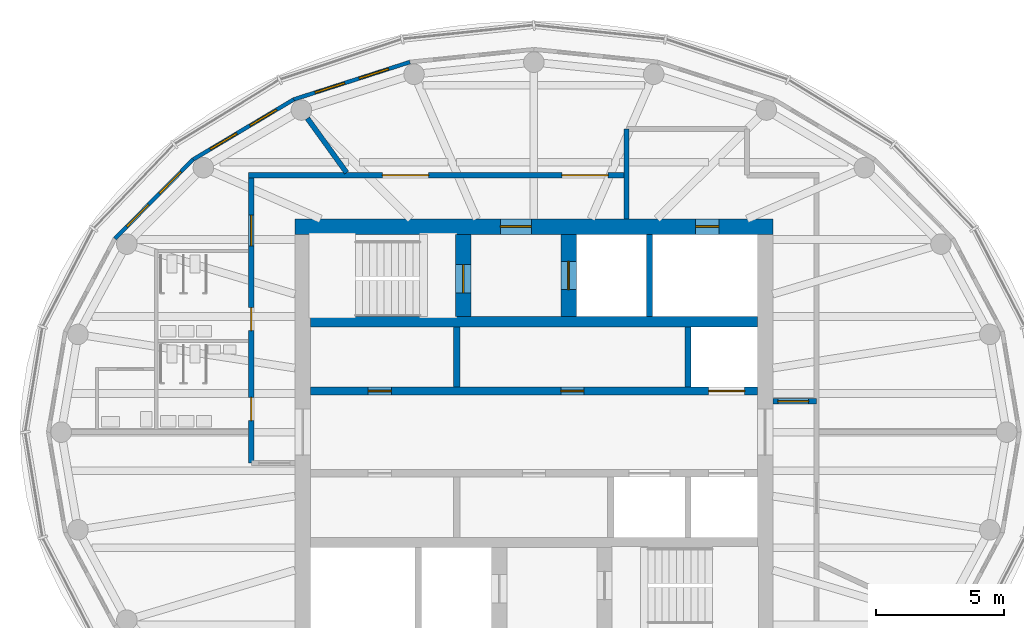
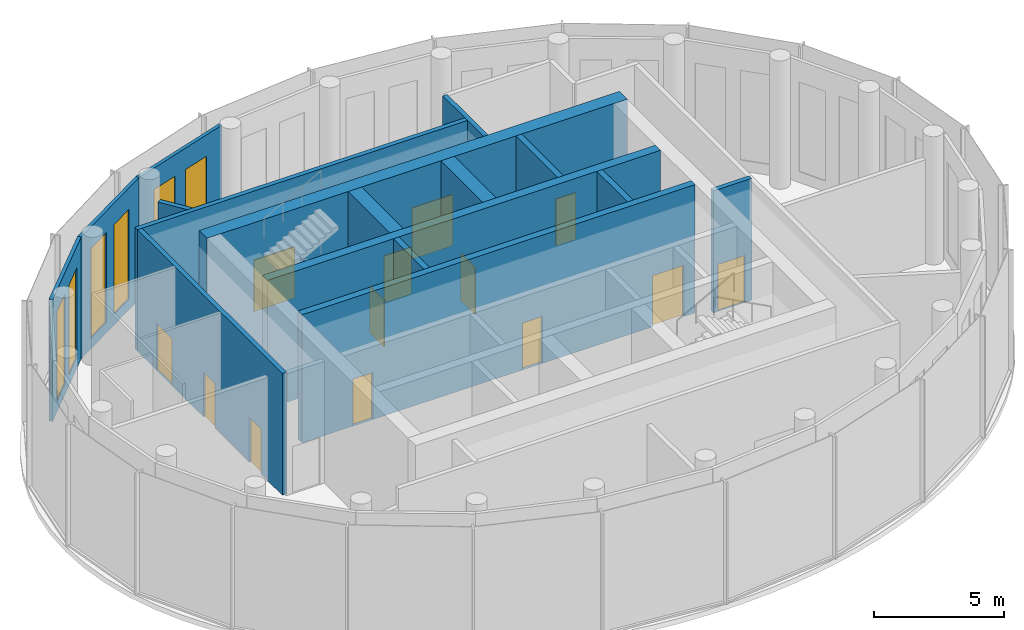
# One storey, part 6 of 11: 16 walls, 13 doors, 6 windows, 19 openings.
"""IFC4 building model written with IfcOpenShell, lengths in metres."""

import ifcopenshell
import ifcopenshell.guid

model = None  # the IFC model being written
_history = None  # IfcOwnerHistory: only IFC2X3 demands one
_inside = {}  # id of a spatial element -> (the spatial element, [elements in it])
_under = {}  # id of a project, library or spatial element -> (it, [spatial elements below it])
_declared = {}  # id of a project -> (the project, [libraries it declares])
_typed = {}  # id of a type object -> (the type object, [elements of that type])
_made_of = {}  # id of a material, layer set ... -> (it, [elements and type objects made of it])


def new_model(schema):
    """Start an empty IFC model of exactly this schema.

    Asked for "IFC4X3", IfcOpenShell would pick the latest addendum, in which some entities
    have other attributes; the version numbers below select the first issue.
    IFC2X3 requires an IfcOwnerHistory on every rooted entity: one is made here for all.
    """
    global model, _history
    if schema == "IFC4X3":
        model = ifcopenshell.file(schema_version=(4, 3, 0, 0))
    else:
        model = ifcopenshell.file(schema=schema)
    _inside.clear()
    _under.clear()
    _declared.clear()
    _typed.clear()
    _made_of.clear()
    _history = None
    if model.schema == "IFC2X3":
        org = make("IfcOrganization", Name="unknown")
        user = make(
            "IfcPersonAndOrganization",
            ThePerson=make("IfcPerson", FamilyName="unknown"),
            TheOrganization=org,
        )
        app = make(
            "IfcApplication",
            ApplicationDeveloper=org,
            Version="unknown",
            ApplicationFullName="unknown",
            ApplicationIdentifier="unknown",
        )
        _history = make(
            "IfcOwnerHistory",
            OwningUser=user,
            OwningApplication=app,
            ChangeAction="ADDED",
            CreationDate=0,
        )
    return model


def make(cls, **values):
    """One entity of the class cls with the attributes given. An attribute that is None is left unset."""
    return model.create_entity(
        cls, **{name: value for name, value in values.items() if value is not None}
    )


def rooted(cls, **values):
    """An entity with a GlobalId (a new one), such as an element, a storey or a relation."""
    return make(cls, GlobalId=ifcopenshell.guid.new(), OwnerHistory=_history, **values)


def si_unit(unit_type, name, prefix=None):
    """IfcSIUnit, for example si_unit("LENGTHUNIT", "METRE", prefix="MILLI")."""
    return make("IfcSIUnit", UnitType=unit_type, Prefix=prefix, Name=name)


def assignment(units):
    """IfcUnitAssignment: the units of a project."""
    return None if units is None else make("IfcUnitAssignment", Units=units)


def point(xyz):
    """IfcCartesianPoint."""
    return None if xyz is None else make("IfcCartesianPoint", Coordinates=xyz)


def direction(xyz):
    """IfcDirection."""
    return None if xyz is None else make("IfcDirection", DirectionRatios=xyz)


def frame(location, z_axis=None, x_axis=None):
    """IfcAxis2Placement3D, a coordinate frame: its origin and axes. An axis left out is left unset."""
    return make(
        "IfcAxis2Placement3D",
        Location=point(location),
        Axis=direction(z_axis),
        RefDirection=direction(x_axis),
    )


def frame_2d(location, x_axis=None):
    """IfcAxis2Placement2D, a coordinate frame in the plane: its origin and x axis."""
    return make(
        "IfcAxis2Placement2D", Location=point(location), RefDirection=direction(x_axis)
    )


def origin():
    """The frame at (0, 0, 0) with its axes left unset."""
    return frame((0.0, 0.0, 0.0))


def place(relative_to, where):
    """IfcLocalPlacement: puts the frame where relative to a parent placement (None: the world)."""
    return make(
        "IfcLocalPlacement", PlacementRelTo=relative_to, RelativePlacement=where
    )


def context(
    kind, dimensions, precision=None, world=None, true_north=None, identifier=None
):
    """IfcGeometricRepresentationContext, for example the 3D "Model" context."""
    return make(
        "IfcGeometricRepresentationContext",
        ContextIdentifier=identifier,
        ContextType=kind,
        CoordinateSpaceDimension=dimensions,
        Precision=precision,
        WorldCoordinateSystem=world,
        TrueNorth=true_north,
    )


def subcontext(parent, identifier, kind, view, scale=None):
    """IfcGeometricRepresentationSubContext, for example "Body" below "Model"."""
    return make(
        "IfcGeometricRepresentationSubContext",
        ContextIdentifier=identifier,
        ContextType=kind,
        ParentContext=parent,
        TargetScale=scale,
        TargetView=view,
    )


def project(units=None, contexts=None):
    """IfcProject with its units and contexts."""
    return rooted(
        "IfcProject",
        Name="project",
        RepresentationContexts=contexts,
        UnitsInContext=assignment(units),
    )


def spatial(cls, under=None, at=None, **own):
    """A site, building, storey or space (cls), placed at a placement, below another one or the project."""
    s = rooted(cls, ObjectPlacement=at, **own)
    if under is not None:
        _under.setdefault(under.id(), (under, []))[1].append(s)
    return s


def profile(cls, at=None, kind="AREA", **sizes):
    """A parametric profile (cls). Its sizes go by their IFC names, for example OverallWidth=200.0."""
    return make(cls, ProfileType=kind, Position=at, **sizes)


def rectangle(**sizes):
    """IfcRectangleProfileDef."""
    return profile("IfcRectangleProfileDef", **sizes)


def extrude(swept, where, along, depth):
    """IfcExtrudedAreaSolid: the profile swept, set in the frame where, extruded along a direction by depth."""
    return make(
        "IfcExtrudedAreaSolid",
        SweptArea=swept,
        Position=where,
        ExtrudedDirection=direction(along),
        Depth=depth,
    )


def shape(context_of_items, identifier, shape_type, items):
    """IfcShapeRepresentation: the items that make up one representation, for example the "Body"."""
    return make(
        "IfcShapeRepresentation",
        ContextOfItems=context_of_items,
        RepresentationIdentifier=identifier,
        RepresentationType=shape_type,
        Items=items,
    )


def material(Name=None, Category=None):
    """IfcMaterial."""
    return make("IfcMaterial", Name=Name, Category=Category)


def layer(
    of_material, thickness, ventilated=None, Name=None, Category=None, Priority=None
):
    """IfcMaterialLayer: one layer of a wall or slab, of a material (None: an air gap)."""
    return make(
        "IfcMaterialLayer",
        Material=of_material,
        LayerThickness=thickness,
        IsVentilated=ventilated,
        Name=Name,
        Category=Category,
        Priority=Priority,
    )


def layer_set(layers, Name=None):
    """IfcMaterialLayerSet."""
    return make("IfcMaterialLayerSet", MaterialLayers=layers, LayerSetName=Name)


def made_of(thing, what):
    """Note that an element or type object is made of a material, layer set ...; save() writes the relation."""
    if what is not None:
        _made_of.setdefault(what.id(), (what, []))[1].append(thing)
    return thing


def type_object(cls, material=None, **own):
    """A type object (cls), such as IfcWallType, which elements share."""
    return made_of(rooted(cls, **own), material)


def element(
    cls,
    number,
    at=None,
    inside=None,
    cuts=None,
    type_object=None,
    material=None,
    context=None,
    identifier="Body",
    shape_type=None,
    held_by="IfcProductDefinitionShape",
    body=None,
    shapes=None,
    **own,
):
    """One element of the class cls, such as IfcWall. Its Tag is "e" and its number.

    at: its placement. inside: the storey or other place that contains it. cuts: it is an
    opening in that element (IfcRelVoidsElement). A single representation is given by context,
    identifier, shape_type and body (its items); several are given by shapes. held_by: the class
    of the entity that holds the representations. save() writes the other relations.
    """
    e = rooted(cls, Tag="e%d" % number, ObjectPlacement=at, **own)
    if body is not None:
        shapes = [shape(context, identifier, shape_type, body)]
    if shapes is not None:
        e.Representation = make(held_by, Representations=shapes)
    if inside is not None:
        _inside.setdefault(inside.id(), (inside, []))[1].append(e)
    if cuts is not None:
        rooted(
            "IfcRelVoidsElement", RelatingBuildingElement=cuts, RelatedOpeningElement=e
        )
    if type_object is not None:
        _typed.setdefault(type_object.id(), (type_object, []))[1].append(e)
    return made_of(e, material)


def fill(opening, filler):
    """IfcRelFillsElement: the door or window that sits in an opening."""
    return rooted(
        "IfcRelFillsElement",
        RelatingOpeningElement=opening,
        RelatedBuildingElement=filler,
    )


def aggregate(whole, parts):
    """IfcRelAggregates: a whole, such as a stair, and the parts it consists of."""
    return rooted("IfcRelAggregates", RelatingObject=whole, RelatedObjects=parts)


def save(model, path):
    """Write the relations noted so far, then the file.

    IfcRelAggregates (storeys below a building ...), IfcRelContainedInSpatialStructure (elements
    in a storey), IfcRelDefinesByType, IfcRelAssociatesMaterial and IfcRelDeclares: one each for
    every whole, place, type object, material and project.
    """
    for whole, parts in _under.values():
        aggregate(whole, parts)
    for where, things in _inside.values():
        rooted(
            "IfcRelContainedInSpatialStructure",
            RelatedElements=things,
            RelatingStructure=where,
        )
    for kind, things in _typed.values():
        rooted("IfcRelDefinesByType", RelatedObjects=things, RelatingType=kind)
    for what, things in _made_of.values():
        rooted("IfcRelAssociatesMaterial", RelatedObjects=things, RelatingMaterial=what)
    for by, libraries in _declared.values():
        rooted("IfcRelDeclares", RelatingContext=by, RelatedDefinitions=libraries)
    model.write(path)


model = new_model("IFC4")

# Units and contexts
model_context = context("Model", 3, precision=1e-05, world=origin(), true_north=direction((0.0, 1.0)))
body_context = subcontext(model_context, "Body", "Model", "MODEL_VIEW")
ifc_project = project(units=[si_unit("LENGTHUNIT", "METRE"), si_unit("AREAUNIT", "SQUARE_METRE"), si_unit("VOLUMEUNIT", "CUBIC_METRE"), si_unit("PLANEANGLEUNIT", "RADIAN"), si_unit("MASSUNIT", "GRAM", prefix="KILO")], contexts=[model_context])

# Site, building, storey
site_placement = place(None, origin())
site = spatial("IfcSite", under=ifc_project, at=site_placement, CompositionType="ELEMENT")
building_placement = place(site_placement, origin())
building = spatial("IfcBuilding", under=site, at=building_placement, Name="Hankou Lantern Tower", CompositionType="ELEMENT")
storey_placement = place(building_placement, frame((0.0, 0.0, 242.699951171875)))
storey = spatial("IfcBuildingStorey", under=building, at=storey_placement, Name="L65", CompositionType="ELEMENT", Elevation=242.699951171875)

# Wall, openings, doors
ifc_material_1 = material(Name="Concrete C60", Category="concrete")
ifc_layer_1 = layer(ifc_material_1, 0.60009765625)
ifc_layer_set_1 = layer_set([ifc_layer_1], Name="Concrete C60")
wall_type_1 = type_object("IfcWallType", Name="CW3 CORE WALL 600", PredefinedType="SHEAR", material=ifc_layer_set_1)
wall_1_placement = place(storey_placement, frame((-9.300048828125, 8.0, 0.0), z_axis=(0.0, 0.0, 1.0), x_axis=(1.0, 0.0, 0.0)))
wall_1 = element("IfcWall", 1, at=wall_1_placement, inside=storey, type_object=wall_type_1, Name="Core wall north L65", PredefinedType="SHEAR", context=body_context, shape_type="SweptSolid", body=[
    extrude(rectangle(XDim=18.60009765625, YDim=0.60009765625, at=frame_2d((9.300048828125, 0.0))), origin(), (0.0, 0.0, 1.0), 6.0),
])
opening_1_placement = place(wall_1_placement, frame((8.0, 0.0, 0.0)))
opening_1 = element("IfcOpeningElement", 2, at=opening_1_placement, cuts=wall_1, Name="Opening D5", PredefinedType="OPENING", context=body_context, shape_type="SweptSolid", body=[
    extrude(rectangle(XDim=1.199951171875, YDim=2.199951171875, at=frame_2d((0.60009765625, 1.10009765625))), frame((0.0, 0.31005859375, 0.0), z_axis=(0.0, -1.0, 0.0), x_axis=(1.0, 0.0, 0.0)), (0.0, 0.0, 1.0), 0.6201171875),
])
opening_2_placement = place(wall_1_placement, frame((15.60009765625, 0.0, 0.0)))
opening_2 = element("IfcOpeningElement", 3, at=opening_2_placement, cuts=wall_1, Name="Opening D7", PredefinedType="OPENING", context=body_context, shape_type="SweptSolid", body=[
    extrude(rectangle(XDim=0.89990234375, YDim=2.199951171875, at=frame_2d((0.449951171875, 1.10009765625))), frame((0.0, 0.31005859375, 0.0), z_axis=(0.0, -1.0, 0.0), x_axis=(1.0, 0.0, 0.0)), (0.0, 0.0, 1.0), 0.6201171875),
])
ifc_material_2 = material(Name="Steel door leaf", Category="steel")
door_type_1 = type_object("IfcDoorType", Name="D5 STAIR LOBBY DOOR 1200X2200", OperationType="SINGLE_SWING_LEFT", PredefinedType="DOOR", material=ifc_material_2)
door_1_placement = place(opening_1_placement, origin())
door_1 = element("IfcDoor", 4, at=door_1_placement, inside=storey, type_object=door_type_1, Name="Stair A lobby door", OperationType="SINGLE_SWING_RIGHT", OverallHeight=2.199951171875, OverallWidth=1.199951171875, PredefinedType="DOOR", context=body_context, shape_type="SweptSolid", body=[
    extrude(rectangle(XDim=1.199951171875, YDim=2.199951171875, at=frame_2d((0.60009765625, 1.10009765625))), frame((0.0, 0.02490234375, 0.0), z_axis=(0.0, -1.0, 0.0), x_axis=(1.0, 0.0, 0.0)), (0.0, 0.0, 1.0), 0.050048828125),
])
fill(opening_1, door_1)
ifc_material_3 = material(Name="Steel door leaf", Category="steel")
door_type_2 = type_object("IfcDoorType", Name="D7 RISER DOOR 900X2200", OperationType="SINGLE_SWING_LEFT", PredefinedType="DOOR", material=ifc_material_3)
door_2_placement = place(opening_2_placement, origin())
door_2 = element("IfcDoor", 5, at=door_2_placement, inside=storey, type_object=door_type_2, Name="Riser N1 door", OperationType="SINGLE_SWING_LEFT", OverallHeight=2.199951171875, OverallWidth=0.89990234375, PredefinedType="DOOR", context=body_context, shape_type="SweptSolid", body=[
    extrude(rectangle(XDim=0.89990234375, YDim=2.199951171875, at=frame_2d((0.449951171875, 1.10009765625))), frame((0.0, 0.02490234375, 0.0), z_axis=(0.0, -1.0, 0.0), x_axis=(1.0, 0.0, 0.0)), (0.0, 0.0, 1.0), 0.050048828125),
])
fill(opening_2, door_2)

# Wall
ifc_material_4 = material(Name="Concrete C60", Category="concrete")
ifc_layer_2 = layer(ifc_material_4, 0.39990234375)
ifc_layer_set_2 = layer_set([ifc_layer_2], Name="Concrete C60")
wall_type_2 = type_object("IfcWallType", Name="CW4 CORE CROSS WALL 400", PredefinedType="SHEAR", material=ifc_layer_set_2)
wall_2_placement = place(storey_placement, frame((-8.699951171875, 4.300048828125, 0.0), z_axis=(0.0, 0.0, 1.0), x_axis=(1.0, 0.0, 0.0)))
element("IfcWall", 6, at=wall_2_placement, inside=storey, type_object=wall_type_2, Name="Core band wall north L65", PredefinedType="SHEAR", context=body_context, shape_type="SweptSolid", body=[
    extrude(rectangle(XDim=17.39990234375, YDim=0.39990234375, at=frame_2d((8.699951171875, 0.0))), origin(), (0.0, 0.0, 1.0), 6.0),
])

# Wall, openings, doors
ifc_material_5 = material(Name="Concrete C60", Category="concrete")
ifc_layer_3 = layer(ifc_material_5, 0.300048828125)
ifc_layer_set_3 = layer_set([ifc_layer_3], Name="Concrete C60")
wall_type_3 = type_object("IfcWallType", Name="CW5 LIFT LOBBY WALL 300", PredefinedType="SHEAR", material=ifc_layer_set_3)
wall_3_placement = place(storey_placement, frame((-8.699951171875, 1.60009765625, 0.0), z_axis=(0.0, 0.0, 1.0), x_axis=(1.0, 0.0, 0.0)))
wall_3 = element("IfcWall", 7, at=wall_3_placement, inside=storey, type_object=wall_type_3, Name="Lift lobby wall north L65", PredefinedType="SHEAR", context=body_context, shape_type="SweptSolid", body=[
    extrude(rectangle(XDim=17.39990234375, YDim=0.300048828125, at=frame_2d((8.699951171875, 0.0))), origin(), (0.0, 0.0, 1.0), 6.0),
])
opening_3_placement = place(wall_3_placement, frame((15.5, 0.0, 0.0)))
opening_3 = element("IfcOpeningElement", 8, at=opening_3_placement, cuts=wall_3, Name="Opening LD3", PredefinedType="OPENING", context=body_context, shape_type="SweptSolid", body=[
    extrude(rectangle(XDim=1.39990234375, YDim=2.39990234375, at=frame_2d((0.699951171875, 1.199951171875))), frame((0.0, 0.159912109375, 0.0), z_axis=(0.0, -1.0, 0.0), x_axis=(1.0, 0.0, 0.0)), (0.0, 0.0, 1.0), 0.320068359375),
])
opening_4_placement = place(wall_3_placement, frame((2.25, 0.0, 0.0)))
opening_4 = element("IfcOpeningElement", 9, at=opening_4_placement, cuts=wall_3, Name="Opening D30", PredefinedType="OPENING", context=body_context, shape_type="SweptSolid", body=[
    extrude(rectangle(XDim=0.89990234375, YDim=2.199951171875, at=frame_2d((0.449951171875, 1.10009765625))), frame((0.0, 0.159912109375, 0.0), z_axis=(0.0, -1.0, 0.0), x_axis=(1.0, 0.0, 0.0)), (0.0, 0.0, 1.0), 0.320068359375),
])
opening_5_placement = place(wall_3_placement, frame((9.75, 0.0, 0.0)))
opening_5 = element("IfcOpeningElement", 10, at=opening_5_placement, cuts=wall_3, Name="Opening D30", PredefinedType="OPENING", context=body_context, shape_type="SweptSolid", body=[
    extrude(rectangle(XDim=0.89990234375, YDim=2.199951171875, at=frame_2d((0.449951171875, 1.10009765625))), frame((0.0, 0.159912109375, 0.0), z_axis=(0.0, -1.0, 0.0), x_axis=(1.0, 0.0, 0.0)), (0.0, 0.0, 1.0), 0.320068359375),
])
ifc_material_6 = material(Name="Steel door leaf", Category="steel")
door_type_3 = type_object("IfcDoorType", Name="D30 CORE ROOM DOOR 900X2200", OperationType="SINGLE_SWING_LEFT", PredefinedType="DOOR", material=ifc_material_6)
door_3_placement = place(opening_4_placement, origin())
door_3 = element("IfcDoor", 11, at=door_3_placement, inside=storey, type_object=door_type_3, Name="First aid store door", OperationType="SINGLE_SWING_LEFT", OverallHeight=2.199951171875, OverallWidth=0.89990234375, PredefinedType="DOOR", context=body_context, shape_type="SweptSolid", body=[
    extrude(rectangle(XDim=0.89990234375, YDim=2.199951171875, at=frame_2d((0.449951171875, 1.10009765625))), frame((0.0, 0.02490234375, 0.0), z_axis=(0.0, -1.0, 0.0), x_axis=(1.0, 0.0, 0.0)), (0.0, 0.0, 1.0), 0.050048828125),
])
fill(opening_4, door_3)
door_4_placement = place(opening_5_placement, origin())
door_4 = element("IfcDoor", 12, at=door_4_placement, inside=storey, type_object=door_type_3, Name="Exhibition store door", OperationType="SINGLE_SWING_RIGHT", OverallHeight=2.199951171875, OverallWidth=0.89990234375, PredefinedType="DOOR", context=body_context, shape_type="SweptSolid", body=[
    extrude(rectangle(XDim=0.89990234375, YDim=2.199951171875, at=frame_2d((0.449951171875, 1.10009765625))), frame((0.0, 0.02490234375, 0.0), z_axis=(0.0, -1.0, 0.0), x_axis=(1.0, 0.0, 0.0)), (0.0, 0.0, 1.0), 0.050048828125),
])
fill(opening_5, door_4)
ifc_material_7 = material(Name="Steel door leaf", Category="steel")
door_type_4 = type_object("IfcDoorType", Name="LD3 OBSERVATION LIFT LANDING DOOR 1400X2400", OperationType="DOUBLE_DOOR_SLIDING", PredefinedType="DOOR", material=ifc_material_7)
door_5_placement = place(opening_3_placement, origin())
door_5 = element("IfcDoor", 13, at=door_5_placement, inside=storey, type_object=door_type_4, Name="Lift OB1 landing door", OperationType="DOUBLE_DOOR_SLIDING", OverallHeight=2.39990234375, OverallWidth=1.39990234375, PredefinedType="DOOR", context=body_context, shape_type="SweptSolid", body=[
    extrude(rectangle(XDim=1.39990234375, YDim=2.39990234375, at=frame_2d((0.699951171875, 1.199951171875))), frame((0.0, 0.02490234375, 0.0), z_axis=(0.0, -1.0, 0.0), x_axis=(1.0, 0.0, 0.0)), (0.0, 0.0, 1.0), 0.050048828125),
])
fill(opening_3, door_5)

# Wall, opening, door
ifc_material_8 = material(Name="Concrete C60", Category="concrete")
ifc_layer_4 = layer(ifc_material_8, 0.60009765625)
ifc_layer_set_4 = layer_set([ifc_layer_4], Name="Concrete C60")
wall_type_4 = type_object("IfcWallType", Name="CW6 STAIR AND SHAFT WALL 600", PredefinedType="SHEAR", material=ifc_layer_set_4)
wall_4_placement = place(storey_placement, frame((-2.75, 4.5, 0.0), z_axis=(0.0, 0.0, 1.0), x_axis=(0.0, 1.0, 0.0)))
wall_4 = element("IfcWall", 14, at=wall_4_placement, inside=storey, type_object=wall_type_4, Name="Stair wall L65", PredefinedType="SHEAR", context=body_context, shape_type="SweptSolid", body=[
    extrude(rectangle(XDim=3.199951171875, YDim=0.60009765625, at=frame_2d((1.60009765625, 0.0))), origin(), (0.0, 0.0, 1.0), 6.0),
])
opening_6_placement = place(wall_4_placement, frame((0.925048828125, 0.0, 0.0)))
opening_6 = element("IfcOpeningElement", 15, at=opening_6_placement, cuts=wall_4, Name="Opening D4", PredefinedType="OPENING", context=body_context, shape_type="SweptSolid", body=[
    extrude(rectangle(XDim=1.10009765625, YDim=2.199951171875, at=frame_2d((0.550048828125, 1.10009765625))), frame((0.0, 0.31005859375, 0.0), z_axis=(0.0, -1.0, 0.0), x_axis=(1.0, 0.0, 0.0)), (0.0, 0.0, 1.0), 0.6201171875),
])
ifc_material_9 = material(Name="Steel door leaf", Category="steel")
door_type_5 = type_object("IfcDoorType", Name="D4 STAIR DOOR 1100X2200", OperationType="SINGLE_SWING_LEFT", PredefinedType="DOOR", material=ifc_material_9)
door_6_placement = place(opening_6_placement, origin())
door_6 = element("IfcDoor", 16, at=door_6_placement, inside=storey, type_object=door_type_5, Name="Stair A door", OperationType="SINGLE_SWING_LEFT", OverallHeight=2.199951171875, OverallWidth=1.10009765625, PredefinedType="DOOR", context=body_context, shape_type="SweptSolid", body=[
    extrude(rectangle(XDim=1.10009765625, YDim=2.199951171875, at=frame_2d((0.550048828125, 1.10009765625))), frame((0.0, 0.02490234375, 0.0), z_axis=(0.0, -1.0, 0.0), x_axis=(1.0, 0.0, 0.0)), (0.0, 0.0, 1.0), 0.050048828125),
])
fill(opening_6, door_6)

wall_5_placement = place(storey_placement, frame((1.35009765625, 4.5, 0.0), z_axis=(0.0, 0.0, 1.0), x_axis=(0.0, 1.0, 0.0)))
wall_5 = element("IfcWall", 17, at=wall_5_placement, inside=storey, type_object=wall_type_4, Name="Firefighting lift shaft wall L65", PredefinedType="SHEAR", context=body_context, shape_type="SweptSolid", body=[
    extrude(rectangle(XDim=3.199951171875, YDim=0.60009765625, at=frame_2d((1.60009765625, 0.0))), origin(), (0.0, 0.0, 1.0), 6.0),
])
opening_7_placement = place(wall_5_placement, frame((1.050048828125, 0.0, 0.0)))
opening_7 = element("IfcOpeningElement", 18, at=opening_7_placement, cuts=wall_5, Name="Opening LD2", PredefinedType="OPENING", context=body_context, shape_type="SweptSolid", body=[
    extrude(rectangle(XDim=1.10009765625, YDim=2.199951171875, at=frame_2d((0.550048828125, 1.10009765625))), frame((0.0, 0.31005859375, 0.0), z_axis=(0.0, -1.0, 0.0), x_axis=(1.0, 0.0, 0.0)), (0.0, 0.0, 1.0), 0.6201171875),
])
ifc_material_10 = material(Name="Steel door leaf", Category="steel")
door_type_6 = type_object("IfcDoorType", Name="LD2 FIREFIGHTING LIFT LANDING DOOR 1100X2200", OperationType="DOUBLE_DOOR_SLIDING", PredefinedType="DOOR", material=ifc_material_10)
door_7_placement = place(opening_7_placement, origin())
door_7 = element("IfcDoor", 19, at=door_7_placement, inside=storey, type_object=door_type_6, Name="Firefighting lift FL1 landing door", OperationType="DOUBLE_DOOR_SLIDING", OverallHeight=2.199951171875, OverallWidth=1.10009765625, PredefinedType="DOOR", context=body_context, shape_type="SweptSolid", body=[
    extrude(rectangle(XDim=1.10009765625, YDim=2.199951171875, at=frame_2d((0.550048828125, 1.10009765625))), frame((0.0, 0.02490234375, 0.0), z_axis=(0.0, -1.0, 0.0), x_axis=(1.0, 0.0, 0.0)), (0.0, 0.0, 1.0), 0.050048828125),
])
fill(opening_7, door_7)

# Wall, openings, windows
ifc_material_11 = material(Name="Aluminium spandrel panel on steel studs", Category="steel")
ifc_layer_5 = layer(ifc_material_11, 0.14990234375)
ifc_layer_set_5 = layer_set([ifc_layer_5], Name="Aluminium spandrel panel on steel studs")
wall_type_5 = type_object("IfcWallType", Name="EW1 INNER SKIN WALL 150", PredefinedType="ELEMENTEDWALL", material=ifc_layer_set_5)
wall_6_placement = place(storey_placement, frame((-4.8251953125, 14.40625, 0.0), z_axis=(0.0, 0.0, 1.0), x_axis=(-0.951881908824, -0.306465057804, 0.0)))
wall_6 = element("IfcWall", 20, at=wall_6_placement, inside=storey, type_object=wall_type_5, Name="Inner skin R08-R09 L65", PredefinedType="ELEMENTEDWALL", context=body_context, shape_type="SweptSolid", body=[
    extrude(rectangle(XDim=4.74951171875, YDim=0.14990234375, at=frame_2d((2.374755859375, 0.0))), origin(), (0.0, 0.0, 1.0), 5.699951171875),
])
opening_8_placement = place(wall_6_placement, frame((0.874755859375, 0.0, 0.5)))
opening_8 = element("IfcOpeningElement", 21, at=opening_8_placement, cuts=wall_6, Name="Opening W8", PredefinedType="OPENING", context=body_context, shape_type="SweptSolid", body=[
    extrude(rectangle(XDim=1.199951171875, YDim=4.199951171875, at=frame_2d((0.60009765625, 2.10009765625))), frame((0.0, 0.0849609375, 0.0), z_axis=(0.0, -1.0, 0.0), x_axis=(1.0, 0.0, 0.0)), (0.0, 0.0, 1.0), 0.169921875),
])
opening_9_placement = place(wall_6_placement, frame((2.6748046875, 0.0, 0.5)))
opening_9 = element("IfcOpeningElement", 22, at=opening_9_placement, cuts=wall_6, Name="Opening W8", PredefinedType="OPENING", context=body_context, shape_type="SweptSolid", body=[
    extrude(rectangle(XDim=1.199951171875, YDim=4.199951171875, at=frame_2d((0.60009765625, 2.10009765625))), frame((0.0, 0.0849609375, 0.0), z_axis=(0.0, -1.0, 0.0), x_axis=(1.0, 0.0, 0.0)), (0.0, 0.0, 1.0), 0.169921875),
])
ifc_material_12 = material(Name="Aluminium framed double glazed window", Category="aluminium")
window_type = type_object("IfcWindowType", Name="W8 OBSERVATION WINDOW 1200X4200", PartitioningType="DOUBLE_PANEL_VERTICAL", PredefinedType="WINDOW", material=ifc_material_12)
window_1_placement = place(opening_8_placement, origin())
window_1 = element("IfcWindow", 23, at=window_1_placement, inside=storey, type_object=window_type, Name="Window R08.1 L65", OverallHeight=4.199951171875, OverallWidth=1.199951171875, PartitioningType="SINGLE_PANEL", PredefinedType="WINDOW", context=body_context, shape_type="SweptSolid", body=[
    extrude(rectangle(XDim=1.199951171875, YDim=4.199951171875, at=frame_2d((0.60009765625, 2.10009765625))), frame((0.0, 0.030029296875, 0.0), z_axis=(0.0, -1.0, 0.0), x_axis=(1.0, 0.0, 0.0)), (0.0, 0.0, 1.0), 0.06005859375),
])
fill(opening_8, window_1)
window_2_placement = place(opening_9_placement, origin())
window_2 = element("IfcWindow", 24, at=window_2_placement, inside=storey, type_object=window_type, Name="Window R08.2 L65", OverallHeight=4.199951171875, OverallWidth=1.199951171875, PartitioningType="SINGLE_PANEL", PredefinedType="WINDOW", context=body_context, shape_type="SweptSolid", body=[
    extrude(rectangle(XDim=1.199951171875, YDim=4.199951171875, at=frame_2d((0.60009765625, 2.10009765625))), frame((0.0, 0.030029296875, 0.0), z_axis=(0.0, -1.0, 0.0), x_axis=(1.0, 0.0, 0.0)), (0.0, 0.0, 1.0), 0.06005859375),
])
fill(opening_9, window_2)

wall_7_placement = place(storey_placement, frame((-9.34619140625, 12.95068359375, 0.0), z_axis=(0.0, 0.0, 1.0), x_axis=(-0.858849230109, -0.512228464594, 0.0)))
wall_7 = element("IfcWall", 25, at=wall_7_placement, inside=storey, type_object=wall_type_5, Name="Inner skin R09-R10 L65", PredefinedType="ELEMENTEDWALL", context=body_context, shape_type="SweptSolid", body=[
    extrude(rectangle(XDim=4.564208984375, YDim=0.14990234375, at=frame_2d((2.2822265625, 0.0))), origin(), (0.0, 0.0, 1.0), 5.699951171875),
])
opening_10_placement = place(wall_7_placement, frame((0.781982421875, 0.0, 0.5)))
opening_10 = element("IfcOpeningElement", 26, at=opening_10_placement, cuts=wall_7, Name="Opening W8", PredefinedType="OPENING", context=body_context, shape_type="SweptSolid", body=[
    extrude(rectangle(XDim=1.199951171875, YDim=4.199951171875, at=frame_2d((0.60009765625, 2.10009765625))), frame((0.0, 0.0849609375, 0.0), z_axis=(0.0, -1.0, 0.0), x_axis=(1.0, 0.0, 0.0)), (0.0, 0.0, 1.0), 0.169921875),
])
opening_11_placement = place(wall_7_placement, frame((2.58203125, 0.0, 0.5)))
opening_11 = element("IfcOpeningElement", 27, at=opening_11_placement, cuts=wall_7, Name="Opening W8", PredefinedType="OPENING", context=body_context, shape_type="SweptSolid", body=[
    extrude(rectangle(XDim=1.199951171875, YDim=4.199951171875, at=frame_2d((0.60009765625, 2.10009765625))), frame((0.0, 0.0849609375, 0.0), z_axis=(0.0, -1.0, 0.0), x_axis=(1.0, 0.0, 0.0)), (0.0, 0.0, 1.0), 0.169921875),
])
window_3_placement = place(opening_10_placement, origin())
window_3 = element("IfcWindow", 28, at=window_3_placement, inside=storey, type_object=window_type, Name="Window R09.1 L65", OverallHeight=4.199951171875, OverallWidth=1.199951171875, PartitioningType="SINGLE_PANEL", PredefinedType="WINDOW", context=body_context, shape_type="SweptSolid", body=[
    extrude(rectangle(XDim=1.199951171875, YDim=4.199951171875, at=frame_2d((0.60009765625, 2.10009765625))), frame((0.0, 0.030029296875, 0.0), z_axis=(0.0, -1.0, 0.0), x_axis=(1.0, 0.0, 0.0)), (0.0, 0.0, 1.0), 0.06005859375),
])
fill(opening_10, window_3)
window_4_placement = place(opening_11_placement, origin())
window_4 = element("IfcWindow", 29, at=window_4_placement, inside=storey, type_object=window_type, Name="Window R09.2 L65", OverallHeight=4.199951171875, OverallWidth=1.199951171875, PartitioningType="SINGLE_PANEL", PredefinedType="WINDOW", context=body_context, shape_type="SweptSolid", body=[
    extrude(rectangle(XDim=1.199951171875, YDim=4.199951171875, at=frame_2d((0.60009765625, 2.10009765625))), frame((0.0, 0.030029296875, 0.0), z_axis=(0.0, -1.0, 0.0), x_axis=(1.0, 0.0, 0.0)), (0.0, 0.0, 1.0), 0.06005859375),
])
fill(opening_11, window_4)

wall_8_placement = place(storey_placement, frame((-13.26611328125, 10.61279296875, 0.0), z_axis=(0.0, 0.0, 1.0), x_axis=(-0.702523956258, -0.711660095048, 0.0)))
wall_8 = element("IfcWall", 30, at=wall_8_placement, inside=storey, type_object=wall_type_5, Name="Inner skin R10-R11 L65", PredefinedType="ELEMENTEDWALL", context=body_context, shape_type="SweptSolid", body=[
    extrude(rectangle(XDim=4.3291015625, YDim=0.14990234375, at=frame_2d((2.16455078125, 0.0))), origin(), (0.0, 0.0, 1.0), 5.699951171875),
])
opening_12_placement = place(wall_8_placement, frame((0.66455078125, 0.0, 0.5)))
opening_12 = element("IfcOpeningElement", 31, at=opening_12_placement, cuts=wall_8, Name="Opening W8", PredefinedType="OPENING", context=body_context, shape_type="SweptSolid", body=[
    extrude(rectangle(XDim=1.199951171875, YDim=4.199951171875, at=frame_2d((0.60009765625, 2.10009765625))), frame((0.0, 0.0849609375, 0.0), z_axis=(0.0, -1.0, 0.0), x_axis=(1.0, 0.0, 0.0)), (0.0, 0.0, 1.0), 0.169921875),
])
opening_13_placement = place(wall_8_placement, frame((2.464599609375, 0.0, 0.5)))
opening_13 = element("IfcOpeningElement", 32, at=opening_13_placement, cuts=wall_8, Name="Opening W8", PredefinedType="OPENING", context=body_context, shape_type="SweptSolid", body=[
    extrude(rectangle(XDim=1.199951171875, YDim=4.199951171875, at=frame_2d((0.60009765625, 2.10009765625))), frame((0.0, 0.0849609375, 0.0), z_axis=(0.0, -1.0, 0.0), x_axis=(1.0, 0.0, 0.0)), (0.0, 0.0, 1.0), 0.169921875),
])
window_5_placement = place(opening_12_placement, origin())
window_5 = element("IfcWindow", 33, at=window_5_placement, inside=storey, type_object=window_type, Name="Window R10.1 L65", OverallHeight=4.199951171875, OverallWidth=1.199951171875, PartitioningType="SINGLE_PANEL", PredefinedType="WINDOW", context=body_context, shape_type="SweptSolid", body=[
    extrude(rectangle(XDim=1.199951171875, YDim=4.199951171875, at=frame_2d((0.60009765625, 2.10009765625))), frame((0.0, 0.030029296875, 0.0), z_axis=(0.0, -1.0, 0.0), x_axis=(1.0, 0.0, 0.0)), (0.0, 0.0, 1.0), 0.06005859375),
])
fill(opening_12, window_5)
window_6_placement = place(opening_13_placement, origin())
window_6 = element("IfcWindow", 34, at=window_6_placement, inside=storey, type_object=window_type, Name="Window R10.2 L65", OverallHeight=4.199951171875, OverallWidth=1.199951171875, PartitioningType="SINGLE_PANEL", PredefinedType="WINDOW", context=body_context, shape_type="SweptSolid", body=[
    extrude(rectangle(XDim=1.199951171875, YDim=4.199951171875, at=frame_2d((0.60009765625, 2.10009765625))), frame((0.0, 0.030029296875, 0.0), z_axis=(0.0, -1.0, 0.0), x_axis=(1.0, 0.0, 0.0)), (0.0, 0.0, 1.0), 0.06005859375),
])
fill(opening_13, window_6)

# Wall, openings, doors
ifc_material_13 = material(Name="Masonry lightweight concrete block", Category="masonry")
ifc_layer_6 = layer(ifc_material_13, 0.199951171875)
ifc_layer_set_6 = layer_set([ifc_layer_6], Name="Masonry lightweight concrete block")
wall_type_6 = type_object("IfcWallType", Name="IW2 CORRIDOR WALL 200", PredefinedType="PARTITIONING", material=ifc_layer_set_6)
wall_9_placement = place(storey_placement, frame((-11.10009765625, 10.0, 0.0), z_axis=(0.0, 0.0, 1.0), x_axis=(1.0, 0.0, 0.0)))
wall_9 = element("IfcWall", 35, at=wall_9_placement, inside=storey, type_object=wall_type_6, Name="Corridor wall north", PredefinedType="PARTITIONING", context=body_context, shape_type="SweptSolid", body=[
    extrude(rectangle(XDim=14.7001953125, YDim=0.199951171875, at=frame_2d((7.35009765625, 0.0))), origin(), (0.0, 0.0, 1.0), 5.699951171875),
])
opening_14_placement = place(wall_9_placement, frame((5.199951171875, 0.0, 0.0)))
opening_14 = element("IfcOpeningElement", 36, at=opening_14_placement, cuts=wall_9, Name="Opening D8", PredefinedType="OPENING", context=body_context, shape_type="SweptSolid", body=[
    extrude(rectangle(XDim=1.800048828125, YDim=2.39990234375, at=frame_2d((0.89990234375, 1.199951171875))), frame((0.0, 0.10986328125, 0.0), z_axis=(0.0, -1.0, 0.0), x_axis=(1.0, 0.0, 0.0)), (0.0, 0.0, 1.0), 0.219970703125),
])
opening_15_placement = place(wall_9_placement, frame((12.1943359375, 0.0, 0.0)))
opening_15 = element("IfcOpeningElement", 37, at=opening_15_placement, cuts=wall_9, Name="Opening D8", PredefinedType="OPENING", context=body_context, shape_type="SweptSolid", body=[
    extrude(rectangle(XDim=1.800048828125, YDim=2.39990234375, at=frame_2d((0.89990234375, 1.199951171875))), frame((0.0, 0.10986328125, 0.0), z_axis=(0.0, -1.0, 0.0), x_axis=(1.0, 0.0, 0.0)), (0.0, 0.0, 1.0), 0.219970703125),
])
ifc_material_14 = material(Name="Steel door leaf", Category="steel")
door_type_7 = type_object("IfcDoorType", Name="D8 DOUBLE DOOR 1800X2400", OperationType="DOUBLE_DOOR_DOUBLE_SWING", PredefinedType="DOOR", material=ifc_material_14)
door_8_placement = place(opening_14_placement, origin())
door_8 = element("IfcDoor", 38, at=door_8_placement, inside=storey, type_object=door_type_7, Name="Observation deck north viewing gallery door", OperationType="DOUBLE_DOOR_DOUBLE_SWING", OverallHeight=2.39990234375, OverallWidth=1.800048828125, PredefinedType="DOOR", context=body_context, shape_type="SweptSolid", body=[
    extrude(rectangle(XDim=1.800048828125, YDim=2.39990234375, at=frame_2d((0.89990234375, 1.199951171875))), frame((0.0, 0.02490234375, 0.0), z_axis=(0.0, -1.0, 0.0), x_axis=(1.0, 0.0, 0.0)), (0.0, 0.0, 1.0), 0.050048828125),
])
fill(opening_14, door_8)
door_9_placement = place(opening_15_placement, origin())
door_9 = element("IfcDoor", 39, at=door_9_placement, inside=storey, type_object=door_type_7, Name="Observation deck north viewing gallery second door", OperationType="DOUBLE_DOOR_DOUBLE_SWING", OverallHeight=2.39990234375, OverallWidth=1.800048828125, PredefinedType="DOOR", context=body_context, shape_type="SweptSolid", body=[
    extrude(rectangle(XDim=1.800048828125, YDim=2.39990234375, at=frame_2d((0.89990234375, 1.199951171875))), frame((0.0, 0.02490234375, 0.0), z_axis=(0.0, -1.0, 0.0), x_axis=(1.0, 0.0, 0.0)), (0.0, 0.0, 1.0), 0.050048828125),
])
fill(opening_15, door_9)

wall_10_placement = place(storey_placement, frame((-11.0, 9.89990234375, 0.0), z_axis=(0.0, 0.0, 1.0), x_axis=(0.0, -1.0, 0.0)))
wall_10 = element("IfcWall", 40, at=wall_10_placement, inside=storey, type_object=wall_type_6, Name="Corridor wall west", PredefinedType="PARTITIONING", context=body_context, shape_type="SweptSolid", body=[
    extrude(rectangle(XDim=11.099853515625, YDim=0.199951171875, at=frame_2d((5.5498046875, 0.0))), origin(), (0.0, 0.0, 1.0), 5.699951171875),
])
opening_16_placement = place(wall_10_placement, frame((1.449951171875, 0.0, 0.0)))
opening_16 = element("IfcOpeningElement", 41, at=opening_16_placement, cuts=wall_10, Name="Opening D24", PredefinedType="OPENING", context=body_context, shape_type="SweptSolid", body=[
    extrude(rectangle(XDim=1.199951171875, YDim=2.199951171875, at=frame_2d((0.60009765625, 1.10009765625))), frame((0.0, 0.10986328125, 0.0), z_axis=(0.0, -1.0, 0.0), x_axis=(1.0, 0.0, 0.0)), (0.0, 0.0, 1.0), 0.219970703125),
])
opening_17_placement = place(wall_10_placement, frame((8.550048828125, 0.0, 0.0)))
opening_17 = element("IfcOpeningElement", 42, at=opening_17_placement, cuts=wall_10, Name="Opening D10", PredefinedType="OPENING", context=body_context, shape_type="SweptSolid", body=[
    extrude(rectangle(XDim=0.89990234375, YDim=2.10009765625, at=frame_2d((0.449951171875, 1.050048828125))), frame((0.0, 0.10986328125, 0.0), z_axis=(0.0, -1.0, 0.0), x_axis=(1.0, 0.0, 0.0)), (0.0, 0.0, 1.0), 0.219970703125),
])
opening_18_placement = place(wall_10_placement, frame((5.050048828125, 0.0, 0.0)))
opening_18 = element("IfcOpeningElement", 43, at=opening_18_placement, cuts=wall_10, Name="Opening D10", PredefinedType="OPENING", context=body_context, shape_type="SweptSolid", body=[
    extrude(rectangle(XDim=0.89990234375, YDim=2.10009765625, at=frame_2d((0.449951171875, 1.050048828125))), frame((0.0, 0.10986328125, 0.0), z_axis=(0.0, -1.0, 0.0), x_axis=(1.0, 0.0, 0.0)), (0.0, 0.0, 1.0), 0.219970703125),
])
ifc_material_15 = material(Name="Timber door leaf", Category="wood")
door_type_8 = type_object("IfcDoorType", Name="D10 WC DOOR 900X2100", OperationType="SINGLE_SWING_LEFT", PredefinedType="DOOR", material=ifc_material_15)
door_10_placement = place(opening_17_placement, origin())
door_10 = element("IfcDoor", 44, at=door_10_placement, inside=storey, type_object=door_type_8, Name="Male WC door", OperationType="SINGLE_SWING_RIGHT", OverallHeight=2.10009765625, OverallWidth=0.89990234375, PredefinedType="DOOR", context=body_context, shape_type="SweptSolid", body=[
    extrude(rectangle(XDim=0.89990234375, YDim=2.10009765625, at=frame_2d((0.449951171875, 1.050048828125))), frame((0.0, 0.02490234375, 0.0), z_axis=(0.0, -1.0, 0.0), x_axis=(1.0, 0.0, 0.0)), (0.0, 0.0, 1.0), 0.050048828125),
])
fill(opening_17, door_10)
door_11_placement = place(opening_18_placement, origin())
door_11 = element("IfcDoor", 45, at=door_11_placement, inside=storey, type_object=door_type_8, Name="Female WC door", OperationType="SINGLE_SWING_LEFT", OverallHeight=2.10009765625, OverallWidth=0.89990234375, PredefinedType="DOOR", context=body_context, shape_type="SweptSolid", body=[
    extrude(rectangle(XDim=0.89990234375, YDim=2.10009765625, at=frame_2d((0.449951171875, 1.050048828125))), frame((0.0, 0.02490234375, 0.0), z_axis=(0.0, -1.0, 0.0), x_axis=(1.0, 0.0, 0.0)), (0.0, 0.0, 1.0), 0.050048828125),
])
fill(opening_18, door_11)
ifc_material_16 = material(Name="Timber door leaf", Category="wood")
door_type_9 = type_object("IfcDoorType", Name="D24 WIDE ROOM DOOR 1200X2200", OperationType="SINGLE_SWING_LEFT", PredefinedType="DOOR", material=ifc_material_16)
door_12_placement = place(opening_16_placement, origin())
door_12 = element("IfcDoor", 46, at=door_12_placement, inside=storey, type_object=door_type_9, Name="Observation deck west viewing gallery door", OperationType="SINGLE_SWING_LEFT", OverallHeight=2.199951171875, OverallWidth=1.199951171875, PredefinedType="DOOR", context=body_context, shape_type="SweptSolid", body=[
    extrude(rectangle(XDim=1.199951171875, YDim=2.199951171875, at=frame_2d((0.60009765625, 1.10009765625))), frame((0.0, 0.02490234375, 0.0), z_axis=(0.0, -1.0, 0.0), x_axis=(1.0, 0.0, 0.0)), (0.0, 0.0, 1.0), 0.050048828125),
])
fill(opening_16, door_12)

# Walls
ifc_material_17 = material(Name="Masonry lightweight concrete block", Category="masonry")
ifc_layer_7 = layer(ifc_material_17, 0.199951171875)
ifc_layer_set_7 = layer_set([ifc_layer_7], Name="Masonry lightweight concrete block")
wall_type_7 = type_object("IfcWallType", Name="IW8 PARTITION 200", PredefinedType="PARTITIONING", material=ifc_layer_set_7)
wall_11_placement = place(storey_placement, frame((-7.2890625, 10.10009765625, 0.0), z_axis=(0.0, 0.0, 1.0), x_axis=(-0.585199887706, 0.810889074676, 0.0)))
element("IfcWall", 47, at=wall_11_placement, inside=storey, type_object=wall_type_7, Name="Partition R09", PredefinedType="PARTITIONING", context=body_context, shape_type="SweptSolid", body=[
    extrude(rectangle(XDim=2.60693359375, YDim=0.199951171875, at=frame_2d((1.303466796875, 0.0))), origin(), (0.0, 0.0, 1.0), 4.85009765625),
])
wall_12_placement = place(storey_placement, frame((3.60009765625, 8.300048828125, 0.0), z_axis=(0.0, 0.0, 1.0), x_axis=(0.0, 1.0, 0.0)))
element("IfcWall", 48, at=wall_12_placement, inside=storey, type_object=wall_type_7, Name="Partition north ring", PredefinedType="PARTITIONING", context=body_context, shape_type="SweptSolid", body=[
    extrude(rectangle(XDim=3.5, YDim=0.199951171875, at=frame_2d((1.75, 0.0))), origin(), (0.0, 0.0, 1.0), 5.699951171875),
])

# Wall, opening, door
wall_13_placement = place(storey_placement, frame((9.300048828125, 1.199951171875, 0.0), z_axis=(0.0, 0.0, 1.0), x_axis=(1.0, 0.0, 0.0)))
wall_13 = element("IfcWall", 49, at=wall_13_placement, inside=storey, type_object=wall_type_7, Name="Partition east ring", PredefinedType="PARTITIONING", context=body_context, shape_type="SweptSolid", body=[
    extrude(rectangle(XDim=1.699951171875, YDim=0.199951171875, at=frame_2d((0.85009765625, 0.0))), origin(), (0.0, 0.0, 1.0), 5.699951171875),
])
opening_19_placement = place(wall_13_placement, frame((0.199951171875, 0.0, 0.0)))
opening_19 = element("IfcOpeningElement", 50, at=opening_19_placement, cuts=wall_13, Name="Opening D24", PredefinedType="OPENING", context=body_context, shape_type="SweptSolid", body=[
    extrude(rectangle(XDim=1.199951171875, YDim=2.199951171875, at=frame_2d((0.60009765625, 1.10009765625))), frame((0.0, 0.10986328125, 0.0), z_axis=(0.0, -1.0, 0.0), x_axis=(1.0, 0.0, 0.0)), (0.0, 0.0, 1.0), 0.219970703125),
])
door_13_placement = place(opening_19_placement, origin())
door_13 = element("IfcDoor", 51, at=door_13_placement, inside=storey, type_object=door_type_9, Name="Observation first aid room door", OperationType="SINGLE_SWING_LEFT", OverallHeight=2.199951171875, OverallWidth=1.199951171875, PredefinedType="DOOR", context=body_context, shape_type="SweptSolid", body=[
    extrude(rectangle(XDim=1.199951171875, YDim=2.199951171875, at=frame_2d((0.60009765625, 1.10009765625))), frame((0.0, 0.02490234375, 0.0), z_axis=(0.0, -1.0, 0.0), x_axis=(1.0, 0.0, 0.0)), (0.0, 0.0, 1.0), 0.050048828125),
])
fill(opening_19, door_13)

# Walls
ifc_material_18 = material(Name="Masonry autoclaved aerated concrete block", Category="masonry")
ifc_layer_8 = layer(ifc_material_18, 0.25)
ifc_layer_set_8 = layer_set([ifc_layer_8], Name="Masonry autoclaved aerated concrete block")
wall_type_8 = type_object("IfcWallType", Name="SW1 SHAFT BLOCK WALL 250", PredefinedType="PARTITIONING", material=ifc_layer_set_8)
wall_14_placement = place(storey_placement, frame((4.5, 4.5, 0.0), z_axis=(0.0, 0.0, 1.0), x_axis=(0.0, 1.0, 0.0)))
element("IfcWall", 52, at=wall_14_placement, inside=storey, type_object=wall_type_8, Name="Riser wall L65", PredefinedType="PARTITIONING", context=body_context, shape_type="SweptSolid", body=[
    extrude(rectangle(XDim=3.199951171875, YDim=0.25, at=frame_2d((1.60009765625, 0.0))), origin(), (0.0, 0.0, 1.0), 6.0),
])
for number, where, z_axis, x_axis, name in (
    (53, (-3.0, 1.75, 0.0), (0.0, 0.0, 1.0), (0.0, 1.0, 0.0), "Lift shaft wall L65"),
    (54, (6.0, 1.75, 0.0), (0.0, 0.0, 1.0), (0.0, 1.0, 0.0), "Lift shaft wall L65"),
):
    element("IfcWall", number, at=place(storey_placement, frame(where, z_axis=z_axis, x_axis=x_axis)), inside=storey, type_object=wall_type_8, Name=name, PredefinedType="PARTITIONING", context=body_context, shape_type="SweptSolid", body=[
        extrude(rectangle(XDim=2.35009765625, YDim=0.25, at=frame_2d((1.175048828125, 0.0))), origin(), (0.0, 0.0, 1.0), 6.0),
    ])

save(model, "model.ifc")
